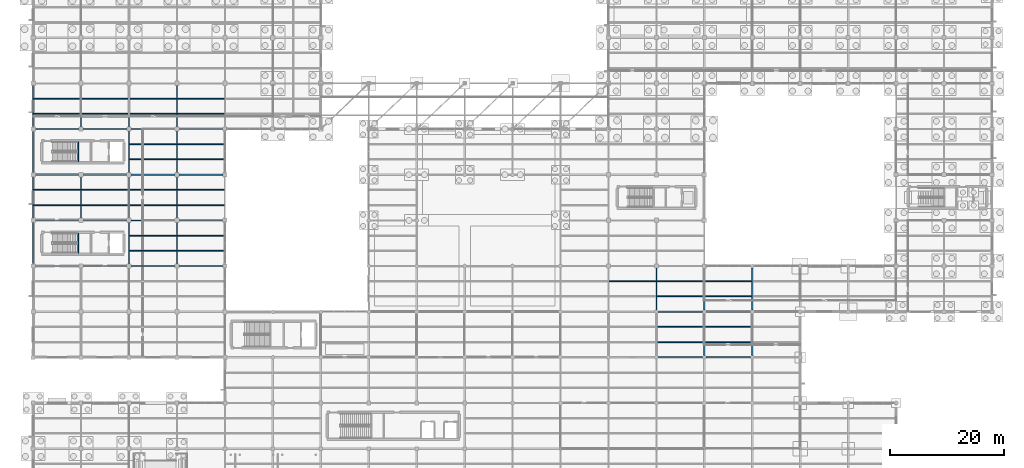
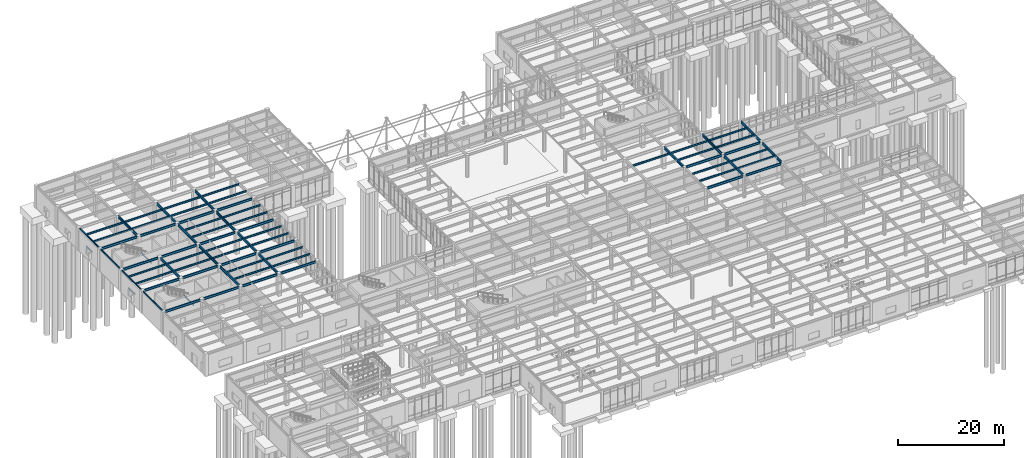
# One storey, part 37 of 138: 76 beams.
"""IFC4 building model written with IfcOpenShell, lengths in metres."""

import ifcopenshell
import ifcopenshell.guid

model = None  # the IFC model being written
_history = None  # IfcOwnerHistory: only IFC2X3 demands one
_inside = {}  # id of a spatial element -> (the spatial element, [elements in it])
_under = {}  # id of a project, library or spatial element -> (it, [spatial elements below it])
_declared = {}  # id of a project -> (the project, [libraries it declares])
_typed = {}  # id of a type object -> (the type object, [elements of that type])
_made_of = {}  # id of a material, layer set ... -> (it, [elements and type objects made of it])


def new_model(schema):
    """Start an empty IFC model of exactly this schema.

    Asked for "IFC4X3", IfcOpenShell would pick the latest addendum, in which some entities
    have other attributes; the version numbers below select the first issue.
    IFC2X3 requires an IfcOwnerHistory on every rooted entity: one is made here for all.
    """
    global model, _history
    if schema == "IFC4X3":
        model = ifcopenshell.file(schema_version=(4, 3, 0, 0))
    else:
        model = ifcopenshell.file(schema=schema)
    _inside.clear()
    _under.clear()
    _declared.clear()
    _typed.clear()
    _made_of.clear()
    _history = None
    if model.schema == "IFC2X3":
        org = make("IfcOrganization", Name="unknown")
        user = make(
            "IfcPersonAndOrganization",
            ThePerson=make("IfcPerson", FamilyName="unknown"),
            TheOrganization=org,
        )
        app = make(
            "IfcApplication",
            ApplicationDeveloper=org,
            Version="unknown",
            ApplicationFullName="unknown",
            ApplicationIdentifier="unknown",
        )
        _history = make(
            "IfcOwnerHistory",
            OwningUser=user,
            OwningApplication=app,
            ChangeAction="ADDED",
            CreationDate=0,
        )
    return model


def make(cls, **values):
    """One entity of the class cls with the attributes given. An attribute that is None is left unset."""
    return model.create_entity(
        cls, **{name: value for name, value in values.items() if value is not None}
    )


def rooted(cls, **values):
    """An entity with a GlobalId (a new one), such as an element, a storey or a relation."""
    return make(cls, GlobalId=ifcopenshell.guid.new(), OwnerHistory=_history, **values)


def si_unit(unit_type, name, prefix=None):
    """IfcSIUnit, for example si_unit("LENGTHUNIT", "METRE", prefix="MILLI")."""
    return make("IfcSIUnit", UnitType=unit_type, Prefix=prefix, Name=name)


def assignment(units):
    """IfcUnitAssignment: the units of a project."""
    return None if units is None else make("IfcUnitAssignment", Units=units)


def point(xyz):
    """IfcCartesianPoint."""
    return None if xyz is None else make("IfcCartesianPoint", Coordinates=xyz)


def direction(xyz):
    """IfcDirection."""
    return None if xyz is None else make("IfcDirection", DirectionRatios=xyz)


def frame(location, z_axis=None, x_axis=None):
    """IfcAxis2Placement3D, a coordinate frame: its origin and axes. An axis left out is left unset."""
    return make(
        "IfcAxis2Placement3D",
        Location=point(location),
        Axis=direction(z_axis),
        RefDirection=direction(x_axis),
    )


def frame_2d(location, x_axis=None):
    """IfcAxis2Placement2D, a coordinate frame in the plane: its origin and x axis."""
    return make(
        "IfcAxis2Placement2D", Location=point(location), RefDirection=direction(x_axis)
    )


def origin():
    """The frame at (0, 0, 0) with its axes left unset."""
    return frame((0.0, 0.0, 0.0))


def origin_2d():
    """The frame at (0, 0) in the plane with its x axis left unset."""
    return frame_2d((0.0, 0.0))


def place(relative_to, where):
    """IfcLocalPlacement: puts the frame where relative to a parent placement (None: the world)."""
    return make(
        "IfcLocalPlacement", PlacementRelTo=relative_to, RelativePlacement=where
    )


def context(
    kind, dimensions, precision=None, world=None, true_north=None, identifier=None
):
    """IfcGeometricRepresentationContext, for example the 3D "Model" context."""
    return make(
        "IfcGeometricRepresentationContext",
        ContextIdentifier=identifier,
        ContextType=kind,
        CoordinateSpaceDimension=dimensions,
        Precision=precision,
        WorldCoordinateSystem=world,
        TrueNorth=true_north,
    )


def subcontext(parent, identifier, kind, view, scale=None):
    """IfcGeometricRepresentationSubContext, for example "Body" below "Model"."""
    return make(
        "IfcGeometricRepresentationSubContext",
        ContextIdentifier=identifier,
        ContextType=kind,
        ParentContext=parent,
        TargetScale=scale,
        TargetView=view,
    )


def project(units=None, contexts=None):
    """IfcProject with its units and contexts."""
    return rooted(
        "IfcProject",
        Name="project",
        RepresentationContexts=contexts,
        UnitsInContext=assignment(units),
    )


def spatial(cls, under=None, at=None, **own):
    """A site, building, storey or space (cls), placed at a placement, below another one or the project."""
    s = rooted(cls, ObjectPlacement=at, **own)
    if under is not None:
        _under.setdefault(under.id(), (under, []))[1].append(s)
    return s


def profile(cls, at=None, kind="AREA", **sizes):
    """A parametric profile (cls). Its sizes go by their IFC names, for example OverallWidth=200.0."""
    return make(cls, ProfileType=kind, Position=at, **sizes)


def hollow_rectangle(**sizes):
    """IfcRectangleHollowProfileDef."""
    return profile("IfcRectangleHollowProfileDef", **sizes)


def i_section(**sizes):
    """IfcIShapeProfileDef."""
    return profile("IfcIShapeProfileDef", **sizes)


def extrude(swept, where, along, depth):
    """IfcExtrudedAreaSolid: the profile swept, set in the frame where, extruded along a direction by depth."""
    return make(
        "IfcExtrudedAreaSolid",
        SweptArea=swept,
        Position=where,
        ExtrudedDirection=direction(along),
        Depth=depth,
    )


def shape(context_of_items, identifier, shape_type, items):
    """IfcShapeRepresentation: the items that make up one representation, for example the "Body"."""
    return make(
        "IfcShapeRepresentation",
        ContextOfItems=context_of_items,
        RepresentationIdentifier=identifier,
        RepresentationType=shape_type,
        Items=items,
    )


def material(Name=None, Category=None):
    """IfcMaterial."""
    return make("IfcMaterial", Name=Name, Category=Category)


def material_profile(
    of_material, cross_section, Name=None, Category=None, Priority=None
):
    """IfcMaterialProfile: a cross section and its material."""
    return make(
        "IfcMaterialProfile",
        Name=Name,
        Material=of_material,
        Profile=cross_section,
        Priority=Priority,
        Category=Category,
    )


def profile_set(profiles, Name=None, composite=None):
    """IfcMaterialProfileSet."""
    return make(
        "IfcMaterialProfileSet",
        Name=Name,
        MaterialProfiles=profiles,
        CompositeProfile=composite,
    )


def made_of(thing, what):
    """Note that an element or type object is made of a material, layer set ...; save() writes the relation."""
    if what is not None:
        _made_of.setdefault(what.id(), (what, []))[1].append(thing)
    return thing


def type_object(cls, material=None, **own):
    """A type object (cls), such as IfcWallType, which elements share."""
    return made_of(rooted(cls, **own), material)


def element(
    cls,
    number,
    at=None,
    inside=None,
    cuts=None,
    type_object=None,
    material=None,
    context=None,
    identifier="Body",
    shape_type=None,
    held_by="IfcProductDefinitionShape",
    body=None,
    shapes=None,
    **own,
):
    """One element of the class cls, such as IfcWall. Its Tag is "e" and its number.

    at: its placement. inside: the storey or other place that contains it. cuts: it is an
    opening in that element (IfcRelVoidsElement). A single representation is given by context,
    identifier, shape_type and body (its items); several are given by shapes. held_by: the class
    of the entity that holds the representations. save() writes the other relations.
    """
    e = rooted(cls, Tag="e%d" % number, ObjectPlacement=at, **own)
    if body is not None:
        shapes = [shape(context, identifier, shape_type, body)]
    if shapes is not None:
        e.Representation = make(held_by, Representations=shapes)
    if inside is not None:
        _inside.setdefault(inside.id(), (inside, []))[1].append(e)
    if cuts is not None:
        rooted(
            "IfcRelVoidsElement", RelatingBuildingElement=cuts, RelatedOpeningElement=e
        )
    if type_object is not None:
        _typed.setdefault(type_object.id(), (type_object, []))[1].append(e)
    return made_of(e, material)


def aggregate(whole, parts):
    """IfcRelAggregates: a whole, such as a stair, and the parts it consists of."""
    return rooted("IfcRelAggregates", RelatingObject=whole, RelatedObjects=parts)


def save(model, path):
    """Write the relations noted so far, then the file.

    IfcRelAggregates (storeys below a building ...), IfcRelContainedInSpatialStructure (elements
    in a storey), IfcRelDefinesByType, IfcRelAssociatesMaterial and IfcRelDeclares: one each for
    every whole, place, type object, material and project.
    """
    for whole, parts in _under.values():
        aggregate(whole, parts)
    for where, things in _inside.values():
        rooted(
            "IfcRelContainedInSpatialStructure",
            RelatedElements=things,
            RelatingStructure=where,
        )
    for kind, things in _typed.values():
        rooted("IfcRelDefinesByType", RelatedObjects=things, RelatingType=kind)
    for what, things in _made_of.values():
        rooted("IfcRelAssociatesMaterial", RelatedObjects=things, RelatingMaterial=what)
    for by, libraries in _declared.values():
        rooted("IfcRelDeclares", RelatingContext=by, RelatedDefinitions=libraries)
    model.write(path)


model = new_model("IFC4")

# Units and contexts
model_context = context("Model", 3, precision=1e-05, world=origin(), true_north=direction((0.0, 1.0)))
body_context = subcontext(model_context, "Body", "Model", "MODEL_VIEW")
ifc_project = project(units=[si_unit("LENGTHUNIT", "METRE"), si_unit("AREAUNIT", "SQUARE_METRE"), si_unit("VOLUMEUNIT", "CUBIC_METRE"), si_unit("PLANEANGLEUNIT", "RADIAN"), si_unit("MASSUNIT", "GRAM", prefix="KILO")], contexts=[model_context])

# Site, building, storey
site_placement = place(None, origin())
site = spatial("IfcSite", under=ifc_project, at=site_placement, CompositionType="ELEMENT")
building_placement = place(site_placement, origin())
building = spatial("IfcBuilding", under=site, at=building_placement, Name="Kranzveld Transit Interchange", CompositionType="ELEMENT")
storey_placement = place(building_placement, origin())
storey = spatial("IfcBuildingStorey", under=building, at=storey_placement, Name="L00", CompositionType="ELEMENT", Elevation=0.0)

# Beams
ifc_material_1 = material(Name="Steel S355JR", Category="steel")
ifc_material_profile_1 = material_profile(ifc_material_1, hollow_rectangle(XDim=0.199951171875, YDim=0.300048828125, WallThickness=0.010009765625, InnerFilletRadius=0.014892578125, OuterFilletRadius=0.02490234375, at=origin_2d()), Name="RHS 300x200x10")
ifc_profile_set_1 = profile_set([ifc_material_profile_1], Name="Steel S355JR")
beam_type_1 = type_object("IfcBeamType", Name="Edge Spandrel RHS 300x200x10 S355JR", PredefinedType="SPANDREL", material=ifc_profile_set_1)
for number, where, z_axis, x_axis, name in (
    (1, (0.0, 64.364990234375, 5.0), (0.0, 1.0, 0.0), (-1.0, 0.0, 0.0), "L00 Girder 01/J-K"),
    (2, (0.0, 72.364990234375, 5.0), (0.0, 1.0, 0.0), (-1.0, 0.0, 0.0), "L00 Girder 01/K-L"),
    (3, (0.0, 80.364990234375, 5.0), (0.0, 1.0, 0.0), (-1.0, 0.0, 0.0), "L00 Girder 01/L-M"),
    (4, (0.0, 88.364990234375, 5.0), (0.0, 1.0, 0.0), (-1.0, 0.0, 0.0), "L00 Girder 01/M-N"),
):
    element("IfcBeam", number, at=place(storey_placement, frame(where, z_axis=z_axis, x_axis=x_axis)), inside=storey, type_object=beam_type_1, Name=name, PredefinedType="SPANDREL", context=body_context, shape_type="SweptSolid", body=[
        extrude(hollow_rectangle(XDim=0.199951171875, YDim=0.300048828125, WallThickness=0.010009765625, InnerFilletRadius=0.014892578125, OuterFilletRadius=0.02490234375, at=origin_2d()), origin(), (0.0, 0.0, 1.0), 7.27001953125),
    ])
ifc_material_2 = material(Name="Steel S355JR", Category="steel")
ifc_material_profile_2 = material_profile(ifc_material_2, i_section(OverallWidth=0.177734375, OverallDepth=0.402587890625, WebThickness=0.0078125, FlangeThickness=0.010986328125, FilletRadius=0.01025390625, at=origin_2d()), Name="UB 406x178x54")
ifc_profile_set_2 = profile_set([ifc_material_profile_2], Name="Steel S355JR")
beam_type_2 = type_object("IfcBeamType", Name="Floor Joist UB 406x178x54 S355JR", PredefinedType="JOIST", material=ifc_profile_set_2)
for number, where, z_axis, x_axis, name in (
    (5, (0.10205078125, 74.666748046875, 4.94873046875), (1.0, 0.0, 0.0), (0.0, 1.0, 0.0), "L00 Secondary Joist 01-02/K.1"),
    (6, (0.10205078125, 77.333251953125, 4.94873046875), (1.0, 0.0, 0.0), (0.0, 1.0, 0.0), "L00 Secondary Joist 01-02/K.2"),
    (7, (0.10205078125, 90.666748046875, 4.94873046875), (1.0, 0.0, 0.0), (0.0, 1.0, 0.0), "L00 Secondary Joist 01-02/M.1"),
    (8, (0.10205078125, 93.333251953125, 4.94873046875), (1.0, 0.0, 0.0), (0.0, 1.0, 0.0), "L00 Secondary Joist 01-02/M.2"),
):
    element("IfcBeam", number, at=place(storey_placement, frame(where, z_axis=z_axis, x_axis=x_axis)), inside=storey, type_object=beam_type_2, Name=name, PredefinedType="JOIST", context=body_context, shape_type="SweptSolid", body=[
        extrude(i_section(OverallWidth=0.177734375, OverallDepth=0.402587890625, WebThickness=0.0078125, FlangeThickness=0.010986328125, FilletRadius=0.01025390625, at=origin_2d()), origin(), (0.0, 0.0, 1.0), 8.181884765625),
    ])
for number, where, z_axis, x_axis, name in (
    (9, (8.51611328125, 74.666748046875, 4.94873046875), (1.0, 0.0, 0.0), (0.0, 1.0, 0.0), "L00 Secondary Joist 02-03/K.1"),
    (10, (8.51611328125, 77.333251953125, 4.94873046875), (1.0, 0.0, 0.0), (0.0, 1.0, 0.0), "L00 Secondary Joist 02-03/K.2"),
    (11, (8.51611328125, 90.666748046875, 4.94873046875), (1.0, 0.0, 0.0), (0.0, 1.0, 0.0), "L00 Secondary Joist 02-03/M.1"),
    (12, (8.51611328125, 93.333251953125, 4.94873046875), (1.0, 0.0, 0.0), (0.0, 1.0, 0.0), "L00 Secondary Joist 02-03/M.2"),
):
    element("IfcBeam", number, at=place(storey_placement, frame(where, z_axis=z_axis, x_axis=x_axis)), inside=storey, type_object=beam_type_2, Name=name, PredefinedType="JOIST", context=body_context, shape_type="SweptSolid", body=[
        extrude(i_section(OverallWidth=0.177734375, OverallDepth=0.402587890625, WebThickness=0.0078125, FlangeThickness=0.010986328125, FilletRadius=0.01025390625, at=origin_2d()), origin(), (0.0, 0.0, 1.0), 8.167724609375),
    ])
for number, where, z_axis, x_axis, name in (
    (13, (16.916015625, 66.666748046875, 4.94873046875), (1.0, 0.0, 0.0), (0.0, 1.0, 0.0), "L00 Secondary Joist 03-04/J.1"),
    (14, (16.916015625, 69.333251953125, 4.94873046875), (1.0, 0.0, 0.0), (0.0, 1.0, 0.0), "L00 Secondary Joist 03-04/J.2"),
    (15, (16.916015625, 74.666748046875, 4.94873046875), (1.0, 0.0, 0.0), (0.0, 1.0, 0.0), "L00 Secondary Joist 03-04/K.1"),
    (16, (16.916015625, 77.333251953125, 4.94873046875), (1.0, 0.0, 0.0), (0.0, 1.0, 0.0), "L00 Secondary Joist 03-04/K.2"),
    (17, (16.916015625, 82.666748046875, 4.94873046875), (1.0, 0.0, 0.0), (0.0, 1.0, 0.0), "L00 Secondary Joist 03-04/L.1"),
    (18, (16.916015625, 85.333251953125, 4.94873046875), (1.0, 0.0, 0.0), (0.0, 1.0, 0.0), "L00 Secondary Joist 03-04/L.2"),
    (19, (16.916015625, 90.666748046875, 4.94873046875), (1.0, 0.0, 0.0), (0.0, 1.0, 0.0), "L00 Secondary Joist 03-04/M.1"),
    (20, (16.916015625, 93.333251953125, 4.94873046875), (1.0, 0.0, 0.0), (0.0, 1.0, 0.0), "L00 Secondary Joist 03-04/M.2"),
):
    element("IfcBeam", number, at=place(storey_placement, frame(where, z_axis=z_axis, x_axis=x_axis)), inside=storey, type_object=beam_type_2, Name=name, PredefinedType="JOIST", context=body_context, shape_type="SweptSolid", body=[
        extrude(i_section(OverallWidth=0.177734375, OverallDepth=0.402587890625, WebThickness=0.0078125, FlangeThickness=0.010986328125, FilletRadius=0.01025390625, at=origin_2d()), origin(), (0.0, 0.0, 1.0), 8.16796875),
    ])
for number, where, z_axis, x_axis, name in (
    (21, (25.316162109375, 66.666748046875, 4.94873046875), (1.0, 0.0, 0.0), (0.0, 1.0, 0.0), "L00 Secondary Joist 04-05/J.1"),
    (22, (25.316162109375, 69.333251953125, 4.94873046875), (1.0, 0.0, 0.0), (0.0, 1.0, 0.0), "L00 Secondary Joist 04-05/J.2"),
    (23, (25.316162109375, 74.666748046875, 4.94873046875), (1.0, 0.0, 0.0), (0.0, 1.0, 0.0), "L00 Secondary Joist 04-05/K.1"),
    (24, (25.316162109375, 77.333251953125, 4.94873046875), (1.0, 0.0, 0.0), (0.0, 1.0, 0.0), "L00 Secondary Joist 04-05/K.2"),
    (25, (25.316162109375, 82.666748046875, 4.94873046875), (1.0, 0.0, 0.0), (0.0, 1.0, 0.0), "L00 Secondary Joist 04-05/L.1"),
    (26, (25.316162109375, 85.333251953125, 4.94873046875), (1.0, 0.0, 0.0), (0.0, 1.0, 0.0), "L00 Secondary Joist 04-05/L.2"),
):
    element("IfcBeam", number, at=place(storey_placement, frame(where, z_axis=z_axis, x_axis=x_axis)), inside=storey, type_object=beam_type_2, Name=name, PredefinedType="JOIST", context=body_context, shape_type="SweptSolid", body=[
        extrude(i_section(OverallWidth=0.177734375, OverallDepth=0.402587890625, WebThickness=0.0078125, FlangeThickness=0.010986328125, FilletRadius=0.01025390625, at=origin_2d()), origin(), (0.0, 0.0, 1.0), 8.181884765625),
    ])
for number, where, z_axis, x_axis, name in (
    (27, (25.316162109375, 90.666748046875, 4.94873046875), (1.0, 0.0, 0.0), (0.0, 1.0, 0.0), "L00 Secondary Joist 04-05/M.1"),
    (28, (25.316162109375, 93.333251953125, 4.94873046875), (1.0, 0.0, 0.0), (0.0, 1.0, 0.0), "L00 Secondary Joist 04-05/M.2"),
):
    element("IfcBeam", number, at=place(storey_placement, frame(where, z_axis=z_axis, x_axis=x_axis)), inside=storey, type_object=beam_type_2, Name=name, PredefinedType="JOIST", context=body_context, shape_type="SweptSolid", body=[
        extrude(i_section(OverallWidth=0.177734375, OverallDepth=0.402587890625, WebThickness=0.0078125, FlangeThickness=0.010986328125, FilletRadius=0.01025390625, at=origin_2d()), origin(), (0.0, 0.0, 1.0), 8.167724609375),
    ])
beam_1_placement = place(storey_placement, frame((100.916015625, 61.333251953125, 4.94873046875), z_axis=(1.0, 0.0, 0.0), x_axis=(0.0, 1.0, 0.0)))
element("IfcBeam", 29, at=beam_1_placement, inside=storey, type_object=beam_type_2, Name="L00 Secondary Joist 13-14/H.2", PredefinedType="JOIST", context=body_context, shape_type="SweptSolid", body=[
    extrude(i_section(OverallWidth=0.177734375, OverallDepth=0.402587890625, WebThickness=0.0078125, FlangeThickness=0.010986328125, FilletRadius=0.01025390625, at=origin_2d()), origin(), (0.0, 0.0, 1.0), 8.16796875),
])
for number, where, z_axis, x_axis, name in (
    (30, (109.316162109375, 50.666748046875, 4.94873046875), (1.0, 0.0, 0.0), (0.0, 1.0, 0.0), "L00 Secondary Joist 14-15/G.1"),
    (31, (109.316162109375, 53.333251953125, 4.94873046875), (1.0, 0.0, 0.0), (0.0, 1.0, 0.0), "L00 Secondary Joist 14-15/G.2"),
    (32, (109.316162109375, 58.666748046875, 4.94873046875), (1.0, 0.0, 0.0), (0.0, 1.0, 0.0), "L00 Secondary Joist 14-15/H.1"),
    (33, (109.316162109375, 61.333251953125, 4.94873046875), (1.0, 0.0, 0.0), (0.0, 1.0, 0.0), "L00 Secondary Joist 14-15/H.2"),
    (34, (117.716064453125, 50.666748046875, 4.94873046875), (1.0, 0.0, 0.0), (0.0, 1.0, 0.0), "L00 Secondary Joist 15-16/G.1"),
    (35, (117.716064453125, 53.333251953125, 4.94873046875), (1.0, 0.0, 0.0), (0.0, 1.0, 0.0), "L00 Secondary Joist 15-16/G.2"),
    (36, (117.716064453125, 58.666748046875, 4.94873046875), (1.0, 0.0, 0.0), (0.0, 1.0, 0.0), "L00 Secondary Joist 15-16/H.1"),
    (37, (117.716064453125, 61.333251953125, 4.94873046875), (1.0, 0.0, 0.0), (0.0, 1.0, 0.0), "L00 Secondary Joist 15-16/H.2"),
):
    element("IfcBeam", number, at=place(storey_placement, frame(where, z_axis=z_axis, x_axis=x_axis)), inside=storey, type_object=beam_type_2, Name=name, PredefinedType="JOIST", context=body_context, shape_type="SweptSolid", body=[
        extrude(i_section(OverallWidth=0.177734375, OverallDepth=0.402587890625, WebThickness=0.0078125, FlangeThickness=0.010986328125, FilletRadius=0.01025390625, at=origin_2d()), origin(), (0.0, 0.0, 1.0), 8.167724609375),
    ])
ifc_material_3 = material(Name="Steel S355JR", Category="steel")
ifc_material_profile_3 = material_profile(ifc_material_3, i_section(OverallWidth=0.2119140625, OverallDepth=0.54443359375, WebThickness=0.0126953125, FlangeThickness=0.021240234375, FilletRadius=0.0126953125, at=origin_2d()), Name="UB 533x210x122")
ifc_profile_set_3 = profile_set([ifc_material_profile_3], Name="Steel S355JR")
beam_type_3 = type_object("IfcBeamType", Name="Girder Steel UB 533x210x122 S355JR", PredefinedType="BEAM", material=ifc_profile_set_3)
for number, where, z_axis, x_axis, name in (
    (38, (109.514892578125, 48.0, 4.877685546875), (1.0, 0.0, 0.0), (0.0, 1.0, 0.0), "L00 Girder 14-15/G"),
    (39, (117.9150390625, 48.0, 4.877685546875), (1.0, 0.0, 0.0), (0.0, 1.0, 0.0), "L00 Girder 15-16/G"),
    (40, (109.514892578125, 56.0, 4.877685546875), (1.0, 0.0, 0.0), (0.0, 1.0, 0.0), "L00 Girder 14-15/H"),
    (41, (117.9150390625, 56.0, 4.877685546875), (1.0, 0.0, 0.0), (0.0, 1.0, 0.0), "L00 Girder 15-16/H"),
):
    element("IfcBeam", number, at=place(storey_placement, frame(where, z_axis=z_axis, x_axis=x_axis)), inside=storey, type_object=beam_type_3, Name=name, PredefinedType="BEAM", context=body_context, shape_type="SweptSolid", body=[
        extrude(i_section(OverallWidth=0.2119140625, OverallDepth=0.54443359375, WebThickness=0.0126953125, FlangeThickness=0.021240234375, FilletRadius=0.0126953125, at=origin_2d()), origin(), (0.0, 0.0, 1.0), 7.77001953125),
    ])
beam_2_placement = place(storey_placement, frame((0.364990234375, 64.0, 4.877685546875), z_axis=(1.0, 0.0, 0.0), x_axis=(0.0, 1.0, 0.0)))
element("IfcBeam", 42, at=beam_2_placement, inside=storey, type_object=beam_type_3, Name="L00 Girder 01-02/J", PredefinedType="BEAM", context=body_context, shape_type="SweptSolid", body=[
    extrude(i_section(OverallWidth=0.2119140625, OverallDepth=0.54443359375, WebThickness=0.0126953125, FlangeThickness=0.021240234375, FilletRadius=0.0126953125, at=origin_2d()), origin(), (0.0, 0.0, 1.0), 7.669921875),
])
beam_3_placement = place(storey_placement, frame((8.764892578125, 64.0, 4.877685546875), z_axis=(1.0, 0.0, 0.0), x_axis=(0.0, 1.0, 0.0)))
element("IfcBeam", 43, at=beam_3_placement, inside=storey, type_object=beam_type_3, Name="L00 Girder 02-03/J", PredefinedType="BEAM", context=body_context, shape_type="SweptSolid", body=[
    extrude(i_section(OverallWidth=0.2119140625, OverallDepth=0.54443359375, WebThickness=0.0126953125, FlangeThickness=0.021240234375, FilletRadius=0.0126953125, at=origin_2d()), origin(), (0.0, 0.0, 1.0), 7.670166015625),
])
beam_4_placement = place(storey_placement, frame((17.1650390625, 64.0, 4.877685546875), z_axis=(1.0, 0.0, 0.0), x_axis=(0.0, 1.0, 0.0)))
element("IfcBeam", 44, at=beam_4_placement, inside=storey, type_object=beam_type_3, Name="L00 Girder 03-04/J", PredefinedType="BEAM", context=body_context, shape_type="SweptSolid", body=[
    extrude(i_section(OverallWidth=0.2119140625, OverallDepth=0.54443359375, WebThickness=0.0126953125, FlangeThickness=0.021240234375, FilletRadius=0.0126953125, at=origin_2d()), origin(), (0.0, 0.0, 1.0), 7.669921875),
])
beam_5_placement = place(storey_placement, frame((25.56494140625, 64.0, 4.877685546875), z_axis=(1.0, 0.0, 0.0), x_axis=(0.0, 1.0, 0.0)))
element("IfcBeam", 45, at=beam_5_placement, inside=storey, type_object=beam_type_3, Name="L00 Girder 04-05/J", PredefinedType="BEAM", context=body_context, shape_type="SweptSolid", body=[
    extrude(i_section(OverallWidth=0.2119140625, OverallDepth=0.54443359375, WebThickness=0.0126953125, FlangeThickness=0.021240234375, FilletRadius=0.0126953125, at=origin_2d()), origin(), (0.0, 0.0, 1.0), 7.670166015625),
])
beam_6_placement = place(storey_placement, frame((0.364990234375, 72.0, 4.877685546875), z_axis=(1.0, 0.0, 0.0), x_axis=(0.0, 1.0, 0.0)))
element("IfcBeam", 46, at=beam_6_placement, inside=storey, type_object=beam_type_3, Name="L00 Girder 01-02/K", PredefinedType="BEAM", context=body_context, shape_type="SweptSolid", body=[
    extrude(i_section(OverallWidth=0.2119140625, OverallDepth=0.54443359375, WebThickness=0.0126953125, FlangeThickness=0.021240234375, FilletRadius=0.0126953125, at=origin_2d()), origin(), (0.0, 0.0, 1.0), 7.669921875),
])
beam_7_placement = place(storey_placement, frame((8.764892578125, 72.0, 4.877685546875), z_axis=(1.0, 0.0, 0.0), x_axis=(0.0, 1.0, 0.0)))
element("IfcBeam", 47, at=beam_7_placement, inside=storey, type_object=beam_type_3, Name="L00 Girder 02-03/K", PredefinedType="BEAM", context=body_context, shape_type="SweptSolid", body=[
    extrude(i_section(OverallWidth=0.2119140625, OverallDepth=0.54443359375, WebThickness=0.0126953125, FlangeThickness=0.021240234375, FilletRadius=0.0126953125, at=origin_2d()), origin(), (0.0, 0.0, 1.0), 7.670166015625),
])
beam_8_placement = place(storey_placement, frame((17.1650390625, 72.0, 4.877685546875), z_axis=(1.0, 0.0, 0.0), x_axis=(0.0, 1.0, 0.0)))
element("IfcBeam", 48, at=beam_8_placement, inside=storey, type_object=beam_type_3, Name="L00 Girder 03-04/K", PredefinedType="BEAM", context=body_context, shape_type="SweptSolid", body=[
    extrude(i_section(OverallWidth=0.2119140625, OverallDepth=0.54443359375, WebThickness=0.0126953125, FlangeThickness=0.021240234375, FilletRadius=0.0126953125, at=origin_2d()), origin(), (0.0, 0.0, 1.0), 7.669921875),
])
beam_9_placement = place(storey_placement, frame((25.56494140625, 72.0, 4.877685546875), z_axis=(1.0, 0.0, 0.0), x_axis=(0.0, 1.0, 0.0)))
element("IfcBeam", 49, at=beam_9_placement, inside=storey, type_object=beam_type_3, Name="L00 Girder 04-05/K", PredefinedType="BEAM", context=body_context, shape_type="SweptSolid", body=[
    extrude(i_section(OverallWidth=0.2119140625, OverallDepth=0.54443359375, WebThickness=0.0126953125, FlangeThickness=0.021240234375, FilletRadius=0.0126953125, at=origin_2d()), origin(), (0.0, 0.0, 1.0), 7.670166015625),
])
beam_10_placement = place(storey_placement, frame((0.364990234375, 80.0, 4.877685546875), z_axis=(1.0, 0.0, 0.0), x_axis=(0.0, 1.0, 0.0)))
element("IfcBeam", 50, at=beam_10_placement, inside=storey, type_object=beam_type_3, Name="L00 Girder 01-02/L", PredefinedType="BEAM", context=body_context, shape_type="SweptSolid", body=[
    extrude(i_section(OverallWidth=0.2119140625, OverallDepth=0.54443359375, WebThickness=0.0126953125, FlangeThickness=0.021240234375, FilletRadius=0.0126953125, at=origin_2d()), origin(), (0.0, 0.0, 1.0), 7.669921875),
])
beam_11_placement = place(storey_placement, frame((8.764892578125, 80.0, 4.877685546875), z_axis=(1.0, 0.0, 0.0), x_axis=(0.0, 1.0, 0.0)))
element("IfcBeam", 51, at=beam_11_placement, inside=storey, type_object=beam_type_3, Name="L00 Girder 02-03/L", PredefinedType="BEAM", context=body_context, shape_type="SweptSolid", body=[
    extrude(i_section(OverallWidth=0.2119140625, OverallDepth=0.54443359375, WebThickness=0.0126953125, FlangeThickness=0.021240234375, FilletRadius=0.0126953125, at=origin_2d()), origin(), (0.0, 0.0, 1.0), 7.670166015625),
])
beam_12_placement = place(storey_placement, frame((17.1650390625, 80.0, 4.877685546875), z_axis=(1.0, 0.0, 0.0), x_axis=(0.0, 1.0, 0.0)))
element("IfcBeam", 52, at=beam_12_placement, inside=storey, type_object=beam_type_3, Name="L00 Girder 03-04/L", PredefinedType="BEAM", context=body_context, shape_type="SweptSolid", body=[
    extrude(i_section(OverallWidth=0.2119140625, OverallDepth=0.54443359375, WebThickness=0.0126953125, FlangeThickness=0.021240234375, FilletRadius=0.0126953125, at=origin_2d()), origin(), (0.0, 0.0, 1.0), 7.669921875),
])
beam_13_placement = place(storey_placement, frame((25.56494140625, 80.0, 4.877685546875), z_axis=(1.0, 0.0, 0.0), x_axis=(0.0, 1.0, 0.0)))
element("IfcBeam", 53, at=beam_13_placement, inside=storey, type_object=beam_type_3, Name="L00 Girder 04-05/L", PredefinedType="BEAM", context=body_context, shape_type="SweptSolid", body=[
    extrude(i_section(OverallWidth=0.2119140625, OverallDepth=0.54443359375, WebThickness=0.0126953125, FlangeThickness=0.021240234375, FilletRadius=0.0126953125, at=origin_2d()), origin(), (0.0, 0.0, 1.0), 7.670166015625),
])
beam_14_placement = place(storey_placement, frame((0.364990234375, 88.0, 4.877685546875), z_axis=(1.0, 0.0, 0.0), x_axis=(0.0, 1.0, 0.0)))
element("IfcBeam", 54, at=beam_14_placement, inside=storey, type_object=beam_type_3, Name="L00 Girder 01-02/M", PredefinedType="BEAM", context=body_context, shape_type="SweptSolid", body=[
    extrude(i_section(OverallWidth=0.2119140625, OverallDepth=0.54443359375, WebThickness=0.0126953125, FlangeThickness=0.021240234375, FilletRadius=0.0126953125, at=origin_2d()), origin(), (0.0, 0.0, 1.0), 7.669921875),
])
beam_15_placement = place(storey_placement, frame((8.764892578125, 88.0, 4.877685546875), z_axis=(1.0, 0.0, 0.0), x_axis=(0.0, 1.0, 0.0)))
element("IfcBeam", 55, at=beam_15_placement, inside=storey, type_object=beam_type_3, Name="L00 Girder 02-03/M", PredefinedType="BEAM", context=body_context, shape_type="SweptSolid", body=[
    extrude(i_section(OverallWidth=0.2119140625, OverallDepth=0.54443359375, WebThickness=0.0126953125, FlangeThickness=0.021240234375, FilletRadius=0.0126953125, at=origin_2d()), origin(), (0.0, 0.0, 1.0), 7.670166015625),
])
beam_16_placement = place(storey_placement, frame((17.1650390625, 88.0, 4.877685546875), z_axis=(1.0, 0.0, 0.0), x_axis=(0.0, 1.0, 0.0)))
element("IfcBeam", 56, at=beam_16_placement, inside=storey, type_object=beam_type_3, Name="L00 Girder 03-04/M", PredefinedType="BEAM", context=body_context, shape_type="SweptSolid", body=[
    extrude(i_section(OverallWidth=0.2119140625, OverallDepth=0.54443359375, WebThickness=0.0126953125, FlangeThickness=0.021240234375, FilletRadius=0.0126953125, at=origin_2d()), origin(), (0.0, 0.0, 1.0), 7.669921875),
])
beam_17_placement = place(storey_placement, frame((25.56494140625, 88.0, 4.877685546875), z_axis=(1.0, 0.0, 0.0), x_axis=(0.0, 1.0, 0.0)))
element("IfcBeam", 57, at=beam_17_placement, inside=storey, type_object=beam_type_3, Name="L00 Girder 04-05/M", PredefinedType="BEAM", context=body_context, shape_type="SweptSolid", body=[
    extrude(i_section(OverallWidth=0.2119140625, OverallDepth=0.54443359375, WebThickness=0.0126953125, FlangeThickness=0.021240234375, FilletRadius=0.0126953125, at=origin_2d()), origin(), (0.0, 0.0, 1.0), 7.670166015625),
])
ifc_material_4 = material(Name="Steel S355JR", Category="steel")
ifc_material_profile_4 = material_profile(ifc_material_4, i_section(OverallWidth=0.228271484375, OverallDepth=0.607666015625, WebThickness=0.010986328125, FlangeThickness=0.017333984375, FilletRadius=0.0126953125, at=origin_2d()), Name="UB 610x229x113")
ifc_profile_set_4 = profile_set([ifc_material_profile_4], Name="Steel S355JR")
beam_type_4 = type_object("IfcBeamType", Name="Girder Steel UB 610x229x113 S355JR", PredefinedType="BEAM", material=ifc_profile_set_4)
for number, where, z_axis, x_axis, name in (
    (58, (8.39990234375, 72.364990234375, 4.84619140625), (0.0, 1.0, 0.0), (-1.0, 0.0, 0.0), "L00 Girder 02/K-L"),
    (59, (8.39990234375, 88.364990234375, 4.84619140625), (0.0, 1.0, 0.0), (-1.0, 0.0, 0.0), "L00 Girder 02/M-N"),
    (60, (16.800048828125, 64.364990234375, 4.84619140625), (0.0, 1.0, 0.0), (-1.0, 0.0, 0.0), "L00 Girder 03/J-K"),
    (61, (16.800048828125, 72.364990234375, 4.84619140625), (0.0, 1.0, 0.0), (-1.0, 0.0, 0.0), "L00 Girder 03/K-L"),
    (62, (16.800048828125, 80.364990234375, 4.84619140625), (0.0, 1.0, 0.0), (-1.0, 0.0, 0.0), "L00 Girder 03/L-M"),
    (63, (16.800048828125, 88.364990234375, 4.84619140625), (0.0, 1.0, 0.0), (-1.0, 0.0, 0.0), "L00 Girder 03/M-N"),
    (64, (25.199951171875, 64.364990234375, 4.84619140625), (0.0, 1.0, 0.0), (-1.0, 0.0, 0.0), "L00 Girder 04/J-K"),
    (65, (25.199951171875, 72.364990234375, 4.84619140625), (0.0, 1.0, 0.0), (-1.0, 0.0, 0.0), "L00 Girder 04/K-L"),
    (66, (25.199951171875, 80.364990234375, 4.84619140625), (0.0, 1.0, 0.0), (-1.0, 0.0, 0.0), "L00 Girder 04/L-M"),
    (67, (25.199951171875, 88.364990234375, 4.84619140625), (0.0, 1.0, 0.0), (-1.0, 0.0, 0.0), "L00 Girder 04/M-N"),
):
    element("IfcBeam", number, at=place(storey_placement, frame(where, z_axis=z_axis, x_axis=x_axis)), inside=storey, type_object=beam_type_4, Name=name, PredefinedType="BEAM", context=body_context, shape_type="SweptSolid", body=[
        extrude(i_section(OverallWidth=0.228271484375, OverallDepth=0.607666015625, WebThickness=0.010986328125, FlangeThickness=0.017333984375, FilletRadius=0.0126953125, at=origin_2d()), origin(), (0.0, 0.0, 1.0), 7.27001953125),
    ])
beam_18_placement = place(storey_placement, frame((109.199951171875, 56.31494140625, 4.84619140625), z_axis=(0.0, 1.0, 0.0), x_axis=(-1.0, 0.0, 0.0)))
element("IfcBeam", 68, at=beam_18_placement, inside=storey, type_object=beam_type_4, Name="L00 Girder 14/H-J", PredefinedType="BEAM", context=body_context, shape_type="SweptSolid", body=[
    extrude(i_section(OverallWidth=0.228271484375, OverallDepth=0.607666015625, WebThickness=0.010986328125, FlangeThickness=0.017333984375, FilletRadius=0.0126953125, at=origin_2d()), origin(), (0.0, 0.0, 1.0), 7.344970703125),
])
beam_19_placement = place(storey_placement, frame((117.60009765625, 48.31494140625, 4.84619140625), z_axis=(0.0, 1.0, 0.0), x_axis=(-1.0, 0.0, 0.0)))
element("IfcBeam", 69, at=beam_19_placement, inside=storey, type_object=beam_type_4, Name="L00 Girder 15/G-H", PredefinedType="BEAM", context=body_context, shape_type="SweptSolid", body=[
    extrude(i_section(OverallWidth=0.228271484375, OverallDepth=0.607666015625, WebThickness=0.010986328125, FlangeThickness=0.017333984375, FilletRadius=0.0126953125, at=origin_2d()), origin(), (0.0, 0.0, 1.0), 7.3701171875),
])
beam_20_placement = place(storey_placement, frame((117.60009765625, 56.31494140625, 4.84619140625), z_axis=(0.0, 1.0, 0.0), x_axis=(-1.0, 0.0, 0.0)))
element("IfcBeam", 70, at=beam_20_placement, inside=storey, type_object=beam_type_4, Name="L00 Girder 15/H-J", PredefinedType="BEAM", context=body_context, shape_type="SweptSolid", body=[
    extrude(i_section(OverallWidth=0.228271484375, OverallDepth=0.607666015625, WebThickness=0.010986328125, FlangeThickness=0.017333984375, FilletRadius=0.0126953125, at=origin_2d()), origin(), (0.0, 0.0, 1.0), 7.344970703125),
])
for number, where, z_axis, x_axis, name in (
    (71, (126.0, 48.31494140625, 4.84619140625), (0.0, 1.0, 0.0), (-1.0, 0.0, 0.0), "L00 Girder 16/G-H"),
    (72, (126.0, 56.31494140625, 4.84619140625), (0.0, 1.0, 0.0), (-1.0, 0.0, 0.0), "L00 Girder 16/H-J"),
):
    element("IfcBeam", number, at=place(storey_placement, frame(where, z_axis=z_axis, x_axis=x_axis)), inside=storey, type_object=beam_type_4, Name=name, PredefinedType="BEAM", context=body_context, shape_type="SweptSolid", body=[
        extrude(i_section(OverallWidth=0.228271484375, OverallDepth=0.607666015625, WebThickness=0.010986328125, FlangeThickness=0.017333984375, FilletRadius=0.0126953125, at=origin_2d()), origin(), (0.0, 0.0, 1.0), 7.3701171875),
    ])
ifc_material_5 = material(Name="Steel S355JR", Category="steel")
ifc_material_profile_5 = material_profile(ifc_material_5, i_section(OverallWidth=0.091064453125, OverallDepth=0.179931640625, WebThickness=0.00537109375, FlangeThickness=0.008056640625, FilletRadius=0.009033203125, at=origin_2d()), Name="IPE 180")
ifc_profile_set_5 = profile_set([ifc_material_profile_5], Name="Steel S355JR")
beam_type_5 = type_object("IfcBeamType", Name="Opening Lintel IPE 180 S355JR", PredefinedType="LINTEL", material=ifc_profile_set_5)
beam_21_placement = place(storey_placement, frame((0.0, 90.919921875, 2.445068359375), z_axis=(0.0, 1.0, 0.0), x_axis=(-1.0, 0.0, 0.0)))
element("IfcBeam", 73, at=beam_21_placement, inside=storey, type_object=beam_type_5, Name="L00 Window Lintel 011", PredefinedType="LINTEL", context=body_context, shape_type="SweptSolid", body=[
    extrude(i_section(OverallWidth=0.091064453125, OverallDepth=0.179931640625, WebThickness=0.00537109375, FlangeThickness=0.008056640625, FilletRadius=0.009033203125, at=origin_2d()), origin(), (0.0, 0.0, 1.0), 2.16015625),
])
ifc_material_6 = material(Name="Steel S355JR", Category="steel")
ifc_material_profile_6 = material_profile(ifc_material_6, i_section(OverallWidth=0.10009765625, OverallDepth=0.199951171875, WebThickness=0.005615234375, FlangeThickness=0.008544921875, FilletRadius=0.011962890625, at=origin_2d()), Name="IPE 200")
ifc_profile_set_6 = profile_set([ifc_material_profile_6], Name="Steel S355JR")
beam_type_6 = type_object("IfcBeamType", Name="Opening Lintel IPE 200 S355JR", PredefinedType="LINTEL", material=ifc_profile_set_6)
beam_22_placement = place(storey_placement, frame((0.0, 74.820068359375, 2.5048828125), z_axis=(0.0, 1.0, 0.0), x_axis=(-1.0, 0.0, 0.0)))
element("IfcBeam", 74, at=beam_22_placement, inside=storey, type_object=beam_type_6, Name="L00 Window Lintel 010", PredefinedType="LINTEL", context=body_context, shape_type="SweptSolid", body=[
    extrude(i_section(OverallWidth=0.10009765625, OverallDepth=0.199951171875, WebThickness=0.005615234375, FlangeThickness=0.008544921875, FilletRadius=0.011962890625, at=origin_2d()), origin(), (0.0, 0.0, 1.0), 2.35986328125),
])
ifc_material_7 = material(Name="Steel S355JR", Category="steel")
ifc_material_profile_7 = material_profile(ifc_material_7, i_section(OverallWidth=0.165771484375, OverallDepth=0.306640625, WebThickness=0.006591796875, FlangeThickness=0.01171875, FilletRadius=0.0087890625, at=origin_2d()), Name="UB 305x165x46")
ifc_profile_set_7 = profile_set([ifc_material_profile_7], Name="Steel S355JR")
beam_type_7 = type_object("IfcBeamType", Name="Roof Joist UB 305x165x46 S355JR", PredefinedType="JOIST", material=ifc_profile_set_7)
for number, where, z_axis, x_axis, name in (
    (75, (7.909912109375, 66.22998046875, 2.36669921875), (0.0, 1.0, 0.0), (-1.0, 0.0, 0.0), "L00 ST-C1 Half-Landing Support Beam"),
    (76, (7.909912109375, 82.22998046875, 2.36669921875), (0.0, 1.0, 0.0), (-1.0, 0.0, 0.0), "L00 ST-C2 Half-Landing Support Beam"),
):
    element("IfcBeam", number, at=place(storey_placement, frame(where, z_axis=z_axis, x_axis=x_axis)), inside=storey, type_object=beam_type_7, Name=name, PredefinedType="BEAM", context=body_context, shape_type="SweptSolid", body=[
        extrude(i_section(OverallWidth=0.165771484375, OverallDepth=0.306640625, WebThickness=0.006591796875, FlangeThickness=0.01171875, FilletRadius=0.0087890625, at=origin_2d()), origin(), (0.0, 0.0, 1.0), 3.5400390625),
    ])

save(model, "model.ifc")
